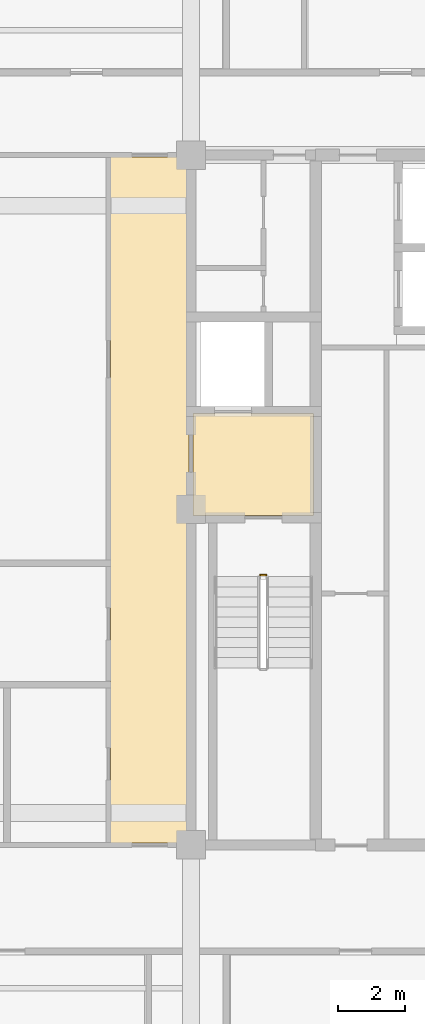
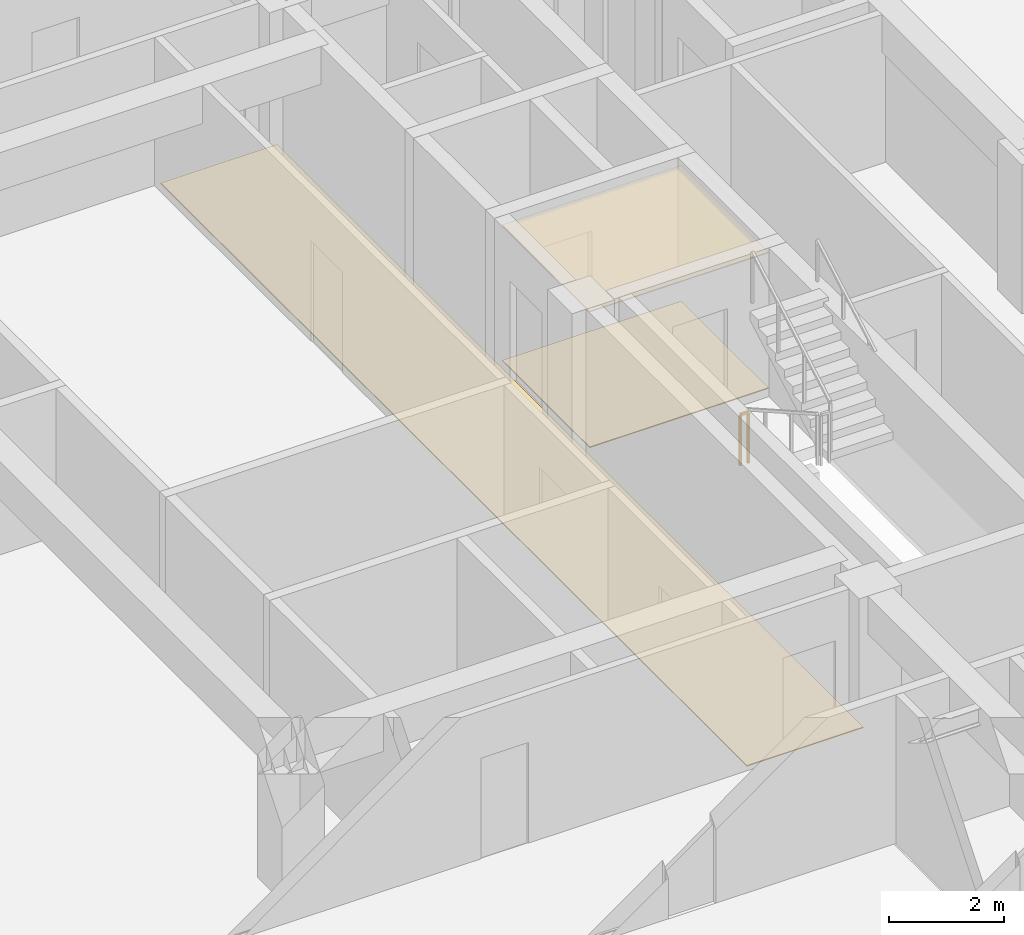
# One storey, part 13 of 14: 3 coverings, 1 railing.
"""IFC4 building model written with IfcOpenShell, lengths in metres."""

from ifc_helpers import new_model, si_unit, direction, frame, origin, origin_2d, place, context, subcontext, project, spatial, polyline, rectangle, outline, extrude, material, layer, layer_set, type_object, element, save


model = new_model("IFC4")

# Units and contexts
model_context = context("Model", 3, precision=1e-05, world=origin(), true_north=direction((0.0, 1.0)))
body_context = subcontext(model_context, "Body", "Model", "MODEL_VIEW")
ifc_project = project(units=[si_unit("LENGTHUNIT", "METRE"), si_unit("AREAUNIT", "SQUARE_METRE"), si_unit("VOLUMEUNIT", "CUBIC_METRE"), si_unit("PLANEANGLEUNIT", "RADIAN"), si_unit("MASSUNIT", "GRAM", prefix="KILO")], contexts=[model_context])

# Site, building, storey
site_placement = place(None, origin())
site = spatial("IfcSite", under=ifc_project, at=site_placement, CompositionType="ELEMENT")
building_placement = place(site_placement, origin())
building = spatial("IfcBuilding", under=site, at=building_placement, Name="Zulmaris Gate Convention Tower", CompositionType="ELEMENT")
storey_placement = place(building_placement, frame((0.0, 0.0, 162.659912109375)))
storey = spatial("IfcBuildingStorey", under=building, at=storey_placement, Name="L41", CompositionType="ELEMENT", Elevation=162.659912109375)

# Coverings
ifc_material_1 = material(Name="Mineral Fibre Acoustic Ceiling Tile")
ifc_layer_1 = layer(ifc_material_1, 0.02001953125, Name="Mineral Fibre Acoustic Ceiling Tile")
ifc_layer_set_1 = layer_set([ifc_layer_1], Name="Mineral Fibre Acoustic Ceiling Tile")
covering_type_1 = type_object("IfcCoveringType", Name="CLG-ACOUSTIC-600", PredefinedType="CEILING", material=ifc_layer_set_1)
covering_1_placement = place(storey_placement, frame((0.0, 0.0, 2.869873046875)))
element("IfcCovering", 1, at=covering_1_placement, inside=storey, type_object=covering_type_1, Name="CLG-L41-R08", PredefinedType="CEILING", context=body_context, shape_type="SweptSolid", body=[
    extrude(outline(polyline([(11.06005859375, -0.18994140625), (14.639892578125, -0.18994140625), (14.639892578125, 2.840087890625), (11.06005859375, 2.840087890625), (11.06005859375, -0.18994140625)])), origin(), (0.0, 0.0, 1.0), 0.02001953125),
])
ifc_material_2 = material(Name="Woven Acoustic Wool Carpet Tile")
ifc_layer_2 = layer(ifc_material_2, 0.02001953125, Name="Woven Acoustic Wool Carpet Tile")
ifc_layer_set_2 = layer_set([ifc_layer_2], Name="Woven Acoustic Wool Carpet Tile")
covering_type_2 = type_object("IfcCoveringType", Name="FLR-CARPET-12", PredefinedType="FLOORING", material=ifc_layer_set_2)
covering_2_placement = place(storey_placement, origin())
element("IfcCovering", 2, at=covering_2_placement, inside=storey, type_object=covering_type_2, Name="FLR-L41-R08", PredefinedType="FLOORING", context=body_context, shape_type="SweptSolid", body=[
    extrude(outline(polyline([(11.06005859375, -0.18994140625), (14.639892578125, -0.18994140625), (14.639892578125, 2.840087890625), (11.06005859375, 2.840087890625), (11.06005859375, -0.18994140625)])), origin(), (0.0, 0.0, 1.0), 0.02001953125),
])
covering_3_placement = place(storey_placement, origin())
element("IfcCovering", 3, at=covering_3_placement, inside=storey, type_object=covering_type_2, Name="FLR-L41-R35", PredefinedType="FLOORING", context=body_context, shape_type="SweptSolid", body=[
    extrude(outline(polyline([(8.610107421875, -9.889892578125), (10.93994140625, -9.889892578125), (10.93994140625, 10.43994140625), (8.610107421875, 10.43994140625), (8.610107421875, -9.889892578125)])), origin(), (0.0, 0.0, 1.0), 0.02001953125),
])

# Railing
ifc_material_3 = material(Name="Painted Galvanised Steel", Category="steel")
railing_type = type_object("IfcRailingType", Name="RL-STG-1150", PredefinedType="GUARDRAIL", material=ifc_material_3)
railing_placement = place(storey_placement, frame((13.06005859375, -1.949951171875, 0.0)))
element("IfcRailing", 4, at=railing_placement, inside=storey, type_object=railing_type, Name="L41 ST-2 stair guard 4", PredefinedType="GUARDRAIL", context=body_context, shape_type="SweptSolid", body=[
    extrude(rectangle(XDim=0.048095703125, YDim=0.048095703125, at=origin_2d()), frame((0.0, 0.0, 1.076171875), z_axis=(1.0, 0.0, 0.0), x_axis=(0.0, 1.0, 0.0)), (0.0, 0.0, 1.0), 0.159912109375),
    extrude(rectangle(XDim=0.0419921875, YDim=0.0419921875, at=origin_2d()), origin(), (0.0, 0.0, 1.0), 1.052001953125),
    extrude(rectangle(XDim=0.0419921875, YDim=0.0419921875, at=origin_2d()), frame((0.159912109375, 0.0, 0.0)), (0.0, 0.0, 1.0), 1.052001953125),
])

save(model, "model.ifc")
